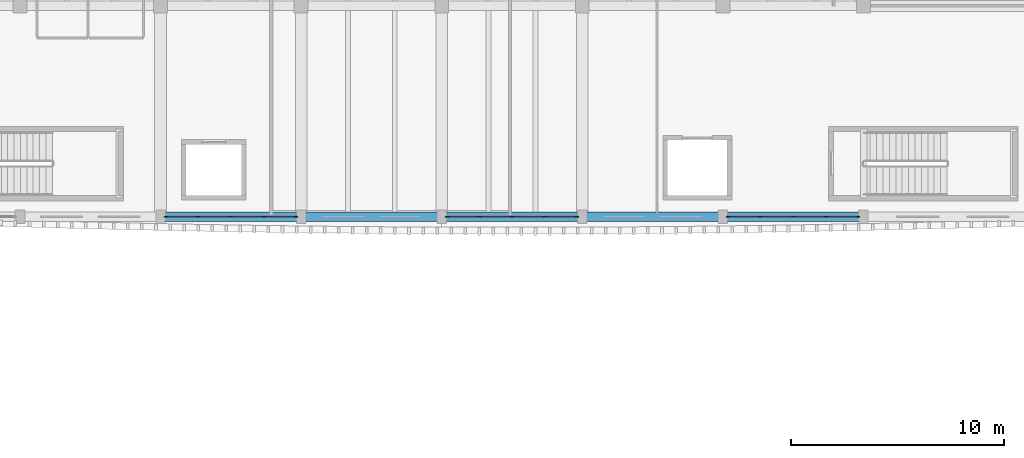
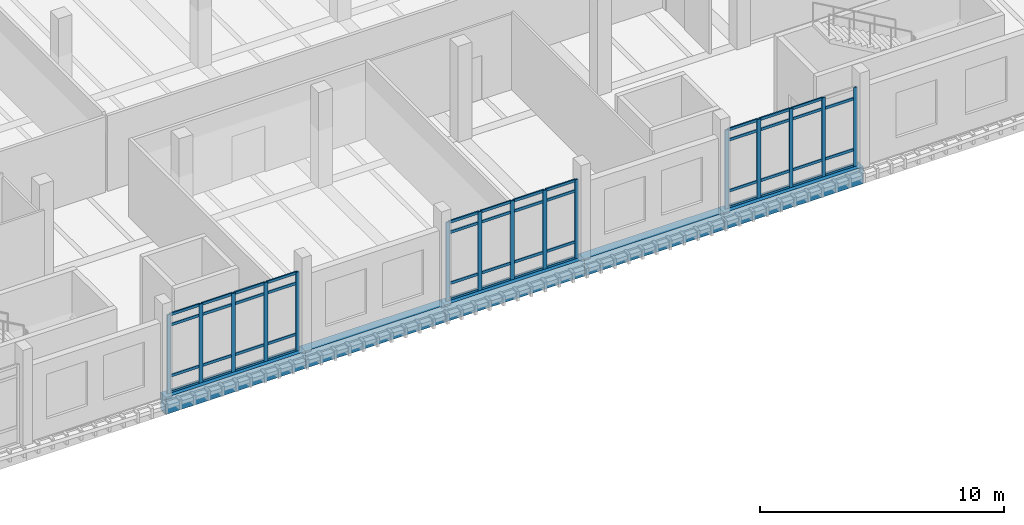
# One storey, part 13 of 50: 62 members, 5 beams, 3 elements without a shape of their own.
"""IFC4 building model written with IfcOpenShell, lengths in metres."""

from ifc_helpers import new_model, si_unit, direction, frame, origin, origin_2d, place, context, subcontext, project, spatial, rectangle, extrude, material, material_profile, profile_set, type_object, element, aggregate, save


model = new_model("IFC4")

# Units and contexts
model_context = context("Model", 3, precision=1e-05, world=origin(), true_north=direction((0.0, 1.0)))
body_context = subcontext(model_context, "Body", "Model", "MODEL_VIEW")
ifc_project = project(units=[si_unit("LENGTHUNIT", "METRE"), si_unit("AREAUNIT", "SQUARE_METRE"), si_unit("VOLUMEUNIT", "CUBIC_METRE"), si_unit("PLANEANGLEUNIT", "RADIAN"), si_unit("MASSUNIT", "GRAM", prefix="KILO")], contexts=[model_context])

# Site, building, storey
site_placement = place(None, origin())
site = spatial("IfcSite", under=ifc_project, at=site_placement, CompositionType="ELEMENT")
building_placement = place(site_placement, origin())
building = spatial("IfcBuilding", under=site, at=building_placement, Name="Dornvale Research Institute", CompositionType="ELEMENT")
storey_placement = place(building_placement, frame((0.0, 0.0, 19.800048828125)))
storey = spatial("IfcBuildingStorey", under=building, at=storey_placement, Name="L04", CompositionType="ELEMENT", Elevation=19.800048828125)

# Curtain wall, members
ifc_material_1 = material(Name="Low-E Argon Double Insulating Glazing Unit", Category="glass")
curtain_wall_type = type_object("IfcCurtainWallType", Name="UnitisedCurtainWall_V4_6150x3950", PredefinedType="USERDEFINED", material=ifc_material_1)
curtain_wall_1_placement = place(storey_placement, origin())
curtain_wall_1 = element("IfcCurtainWall", 1, at=curtain_wall_1_placement, inside=storey, type_object=curtain_wall_type, Name="L04 V4 unitised curtain wall CW-15 #105", ObjectType="UNITISED CURTAIN WALL", PredefinedType="USERDEFINED")
ifc_material_2 = material(Name="Anodized Aluminum AA 6063-T6 Thermally Broken Frame", Category="aluminium")
ifc_material_profile_1 = material_profile(ifc_material_2, rectangle(XDim=0.06494140625, YDim=0.179931640625, at=origin_2d()), Name="ALU MULLION 65x180")
ifc_profile_set_1 = profile_set([ifc_material_profile_1], Name="Anodized Aluminum AA 6063-T6 Thermally Broken Frame")
member_type_1 = type_object("IfcMemberType", Name="Mullion_CW_65x180", PredefinedType="MULLION", material=ifc_profile_set_1)
member_1_placement = place(storey_placement, frame((164.742431640625, 92.39990234375, 0.0), z_axis=(0.0, 0.0, 1.0), x_axis=(0.0, -1.0, 0.0)))
member_1 = element("IfcMember", 2, at=member_1_placement, type_object=member_type_1, Name="CW-15 mullion 1", PredefinedType="MULLION", context=body_context, shape_type="SweptSolid", body=[
    extrude(rectangle(XDim=0.06494140625, YDim=0.179931640625, at=origin_2d()), origin(), (0.0, 0.0, 1.0), 3.949951171875),
])
member_2_placement = place(storey_placement, frame((163.237548828125, 92.39990234375, 0.0), z_axis=(0.0, 0.0, 1.0), x_axis=(0.0, -1.0, 0.0)))
member_2 = element("IfcMember", 3, at=member_2_placement, type_object=member_type_1, Name="CW-15 mullion 2", PredefinedType="MULLION", context=body_context, shape_type="SweptSolid", body=[
    extrude(rectangle(XDim=0.06494140625, YDim=0.179931640625, at=origin_2d()), origin(), (0.0, 0.0, 1.0), 3.949951171875),
])
member_3_placement = place(storey_placement, frame((161.699951171875, 92.39990234375, 0.0), z_axis=(0.0, 0.0, 1.0), x_axis=(0.0, -1.0, 0.0)))
member_3 = element("IfcMember", 4, at=member_3_placement, type_object=member_type_1, Name="CW-15 mullion 3", PredefinedType="MULLION", context=body_context, shape_type="SweptSolid", body=[
    extrude(rectangle(XDim=0.06494140625, YDim=0.179931640625, at=origin_2d()), origin(), (0.0, 0.0, 1.0), 3.949951171875),
])
member_4_placement = place(storey_placement, frame((160.16259765625, 92.39990234375, 0.0), z_axis=(0.0, 0.0, 1.0), x_axis=(0.0, -1.0, 0.0)))
member_4 = element("IfcMember", 5, at=member_4_placement, type_object=member_type_1, Name="CW-15 mullion 4", PredefinedType="MULLION", context=body_context, shape_type="SweptSolid", body=[
    extrude(rectangle(XDim=0.06494140625, YDim=0.179931640625, at=origin_2d()), origin(), (0.0, 0.0, 1.0), 3.949951171875),
])
member_5_placement = place(storey_placement, frame((158.657470703125, 92.39990234375, 0.0), z_axis=(0.0, 0.0, 1.0), x_axis=(0.0, -1.0, 0.0)))
member_5 = element("IfcMember", 6, at=member_5_placement, type_object=member_type_1, Name="CW-15 mullion 5", PredefinedType="MULLION", context=body_context, shape_type="SweptSolid", body=[
    extrude(rectangle(XDim=0.06494140625, YDim=0.179931640625, at=origin_2d()), origin(), (0.0, 0.0, 1.0), 3.949951171875),
])

curtain_wall_2_placement = place(storey_placement, origin())
curtain_wall_2 = element("IfcCurtainWall", 7, at=curtain_wall_2_placement, inside=storey, type_object=curtain_wall_type, Name="L04 V4 unitised curtain wall CW-15 #106", ObjectType="UNITISED CURTAIN WALL", PredefinedType="USERDEFINED")
member_6_placement = place(storey_placement, frame((151.54248046875, 92.39990234375, 0.0), z_axis=(0.0, 0.0, 1.0), x_axis=(0.0, -1.0, 0.0)))
member_6 = element("IfcMember", 8, at=member_6_placement, type_object=member_type_1, Name="CW-15 mullion 1", PredefinedType="MULLION", context=body_context, shape_type="SweptSolid", body=[
    extrude(rectangle(XDim=0.06494140625, YDim=0.179931640625, at=origin_2d()), origin(), (0.0, 0.0, 1.0), 3.949951171875),
])
member_7_placement = place(storey_placement, frame((150.03759765625, 92.39990234375, 0.0), z_axis=(0.0, 0.0, 1.0), x_axis=(0.0, -1.0, 0.0)))
member_7 = element("IfcMember", 9, at=member_7_placement, type_object=member_type_1, Name="CW-15 mullion 2", PredefinedType="MULLION", context=body_context, shape_type="SweptSolid", body=[
    extrude(rectangle(XDim=0.06494140625, YDim=0.179931640625, at=origin_2d()), origin(), (0.0, 0.0, 1.0), 3.949951171875),
])
member_8_placement = place(storey_placement, frame((148.5, 92.39990234375, 0.0), z_axis=(0.0, 0.0, 1.0), x_axis=(0.0, -1.0, 0.0)))
member_8 = element("IfcMember", 10, at=member_8_placement, type_object=member_type_1, Name="CW-15 mullion 3", PredefinedType="MULLION", context=body_context, shape_type="SweptSolid", body=[
    extrude(rectangle(XDim=0.06494140625, YDim=0.179931640625, at=origin_2d()), origin(), (0.0, 0.0, 1.0), 3.949951171875),
])
member_9_placement = place(storey_placement, frame((146.96240234375, 92.39990234375, 0.0), z_axis=(0.0, 0.0, 1.0), x_axis=(0.0, -1.0, 0.0)))
member_9 = element("IfcMember", 11, at=member_9_placement, type_object=member_type_1, Name="CW-15 mullion 4", PredefinedType="MULLION", context=body_context, shape_type="SweptSolid", body=[
    extrude(rectangle(XDim=0.06494140625, YDim=0.179931640625, at=origin_2d()), origin(), (0.0, 0.0, 1.0), 3.949951171875),
])
member_10_placement = place(storey_placement, frame((145.45751953125, 92.39990234375, 0.0), z_axis=(0.0, 0.0, 1.0), x_axis=(0.0, -1.0, 0.0)))
member_10 = element("IfcMember", 12, at=member_10_placement, type_object=member_type_1, Name="CW-15 mullion 5", PredefinedType="MULLION", context=body_context, shape_type="SweptSolid", body=[
    extrude(rectangle(XDim=0.06494140625, YDim=0.179931640625, at=origin_2d()), origin(), (0.0, 0.0, 1.0), 3.949951171875),
])

curtain_wall_3_placement = place(storey_placement, origin())
curtain_wall_3 = element("IfcCurtainWall", 13, at=curtain_wall_3_placement, inside=storey, type_object=curtain_wall_type, Name="L04 V4 unitised curtain wall CW-15 #107", ObjectType="UNITISED CURTAIN WALL", PredefinedType="USERDEFINED")
member_11_placement = place(storey_placement, frame((138.342529296875, 92.39990234375, 0.0), z_axis=(0.0, 0.0, 1.0), x_axis=(0.0, -1.0, 0.0)))
member_11 = element("IfcMember", 14, at=member_11_placement, type_object=member_type_1, Name="CW-15 mullion 1", PredefinedType="MULLION", context=body_context, shape_type="SweptSolid", body=[
    extrude(rectangle(XDim=0.06494140625, YDim=0.179931640625, at=origin_2d()), origin(), (0.0, 0.0, 1.0), 3.949951171875),
])
member_12_placement = place(storey_placement, frame((136.83740234375, 92.39990234375, 0.0), z_axis=(0.0, 0.0, 1.0), x_axis=(0.0, -1.0, 0.0)))
member_12 = element("IfcMember", 15, at=member_12_placement, type_object=member_type_1, Name="CW-15 mullion 2", PredefinedType="MULLION", context=body_context, shape_type="SweptSolid", body=[
    extrude(rectangle(XDim=0.06494140625, YDim=0.179931640625, at=origin_2d()), origin(), (0.0, 0.0, 1.0), 3.949951171875),
])
member_13_placement = place(storey_placement, frame((135.300048828125, 92.39990234375, 0.0), z_axis=(0.0, 0.0, 1.0), x_axis=(0.0, -1.0, 0.0)))
member_13 = element("IfcMember", 16, at=member_13_placement, type_object=member_type_1, Name="CW-15 mullion 3", PredefinedType="MULLION", context=body_context, shape_type="SweptSolid", body=[
    extrude(rectangle(XDim=0.06494140625, YDim=0.179931640625, at=origin_2d()), origin(), (0.0, 0.0, 1.0), 3.949951171875),
])
member_14_placement = place(storey_placement, frame((133.762451171875, 92.39990234375, 0.0), z_axis=(0.0, 0.0, 1.0), x_axis=(0.0, -1.0, 0.0)))
member_14 = element("IfcMember", 17, at=member_14_placement, type_object=member_type_1, Name="CW-15 mullion 4", PredefinedType="MULLION", context=body_context, shape_type="SweptSolid", body=[
    extrude(rectangle(XDim=0.06494140625, YDim=0.179931640625, at=origin_2d()), origin(), (0.0, 0.0, 1.0), 3.949951171875),
])
member_15_placement = place(storey_placement, frame((132.257568359375, 92.39990234375, 0.0), z_axis=(0.0, 0.0, 1.0), x_axis=(0.0, -1.0, 0.0)))
member_15 = element("IfcMember", 18, at=member_15_placement, type_object=member_type_1, Name="CW-15 mullion 5", PredefinedType="MULLION", context=body_context, shape_type="SweptSolid", body=[
    extrude(rectangle(XDim=0.06494140625, YDim=0.179931640625, at=origin_2d()), origin(), (0.0, 0.0, 1.0), 3.949951171875),
])

# Beams
ifc_material_3 = material(Name="Concrete f'c 45 MPa (C35/45)", Category="concrete")
ifc_material_profile_2 = material_profile(ifc_material_3, rectangle(XDim=0.449951171875, YDim=0.85009765625, at=origin_2d()), Name="RC 450x850")
ifc_profile_set_2 = profile_set([ifc_material_profile_2], Name="Concrete f'c 45 MPa (C35/45)")
beam_type = type_object("IfcBeamType", Name="Spandrel_RC450x850_Ext", PredefinedType="SPANDREL", material=ifc_profile_set_2)
beam_1_placement = place(storey_placement, frame((132.0, 92.39990234375, -0.425048828125), z_axis=(1.0, 0.0, 0.0), x_axis=(0.0, 1.0, 0.0)))
element("IfcBeam", 19, at=beam_1_placement, inside=storey, type_object=beam_type, Name="L04 perimeter spandrel #1174", PredefinedType="SPANDREL", context=body_context, shape_type="SweptSolid", body=[
    extrude(rectangle(XDim=0.449951171875, YDim=0.85009765625, at=origin_2d()), origin(), (0.0, 0.0, 1.0), 6.60009765625),
])
beam_2_placement = place(storey_placement, frame((138.60009765625, 92.39990234375, -0.425048828125), z_axis=(1.0, 0.0, 0.0), x_axis=(0.0, 1.0, 0.0)))
element("IfcBeam", 20, at=beam_2_placement, inside=storey, type_object=beam_type, Name="L04 perimeter spandrel #1175", PredefinedType="SPANDREL", context=body_context, shape_type="SweptSolid", body=[
    extrude(rectangle(XDim=0.449951171875, YDim=0.85009765625, at=origin_2d()), origin(), (0.0, 0.0, 1.0), 6.599853515625),
])
beam_3_placement = place(storey_placement, frame((145.199951171875, 92.39990234375, -0.425048828125), z_axis=(1.0, 0.0, 0.0), x_axis=(0.0, 1.0, 0.0)))
element("IfcBeam", 21, at=beam_3_placement, inside=storey, type_object=beam_type, Name="L04 perimeter spandrel #1176", PredefinedType="SPANDREL", context=body_context, shape_type="SweptSolid", body=[
    extrude(rectangle(XDim=0.449951171875, YDim=0.85009765625, at=origin_2d()), origin(), (0.0, 0.0, 1.0), 6.60009765625),
])
beam_4_placement = place(storey_placement, frame((151.800048828125, 92.39990234375, -0.425048828125), z_axis=(1.0, 0.0, 0.0), x_axis=(0.0, 1.0, 0.0)))
element("IfcBeam", 22, at=beam_4_placement, inside=storey, type_object=beam_type, Name="L04 perimeter spandrel #1177", PredefinedType="SPANDREL", context=body_context, shape_type="SweptSolid", body=[
    extrude(rectangle(XDim=0.449951171875, YDim=0.85009765625, at=origin_2d()), origin(), (0.0, 0.0, 1.0), 6.599853515625),
])
beam_5_placement = place(storey_placement, frame((158.39990234375, 92.39990234375, -0.425048828125), z_axis=(1.0, 0.0, 0.0), x_axis=(0.0, 1.0, 0.0)))
element("IfcBeam", 23, at=beam_5_placement, inside=storey, type_object=beam_type, Name="L04 perimeter spandrel #1178", PredefinedType="SPANDREL", context=body_context, shape_type="SweptSolid", body=[
    extrude(rectangle(XDim=0.449951171875, YDim=0.85009765625, at=origin_2d()), origin(), (0.0, 0.0, 1.0), 6.60009765625),
])

# Member
ifc_material_4 = material(Name="Anodized Aluminum AA 6063-T6 Thermally Broken Frame", Category="aluminium")
ifc_material_profile_3 = material_profile(ifc_material_4, rectangle(XDim=0.06494140625, YDim=0.135009765625, at=origin_2d()), Name="ALU TRANSOM 65x135")
ifc_profile_set_3 = profile_set([ifc_material_profile_3], Name="Anodized Aluminum AA 6063-T6 Thermally Broken Frame")
member_type_2 = type_object("IfcMemberType", Name="Transom_CW_65x135", PredefinedType="USERDEFINED", material=ifc_profile_set_3)
member_16_placement = place(storey_placement, frame((164.7099609375, 92.39990234375, 0.032470703125), z_axis=(-1.0, 0.0, 0.0), x_axis=(0.0, -1.0, 0.0)))
member_16 = element("IfcMember", 24, at=member_16_placement, type_object=member_type_2, Name="CW-15 transom 1.1", ObjectType="TRANSOM", PredefinedType="USERDEFINED", context=body_context, shape_type="SweptSolid", body=[
    extrude(rectangle(XDim=0.06494140625, YDim=0.135009765625, at=origin_2d()), origin(), (0.0, 0.0, 1.0), 1.43994140625),
])

member_17_placement = place(storey_placement, frame((164.7099609375, 92.39990234375, 0.849853515625), z_axis=(-1.0, 0.0, 0.0), x_axis=(0.0, -1.0, 0.0)))
member_17 = element("IfcMember", 25, at=member_17_placement, type_object=member_type_2, Name="CW-15 transom 1.2", ObjectType="TRANSOM", PredefinedType="USERDEFINED", context=body_context, shape_type="SweptSolid", body=[
    extrude(rectangle(XDim=0.06494140625, YDim=0.135009765625, at=origin_2d()), origin(), (0.0, 0.0, 1.0), 1.43994140625),
])

member_18_placement = place(storey_placement, frame((164.7099609375, 92.39990234375, 3.39990234375), z_axis=(-1.0, 0.0, 0.0), x_axis=(0.0, -1.0, 0.0)))
member_18 = element("IfcMember", 26, at=member_18_placement, type_object=member_type_2, Name="CW-15 transom 1.3", ObjectType="TRANSOM", PredefinedType="USERDEFINED", context=body_context, shape_type="SweptSolid", body=[
    extrude(rectangle(XDim=0.06494140625, YDim=0.135009765625, at=origin_2d()), origin(), (0.0, 0.0, 1.0), 1.43994140625),
])

member_19_placement = place(storey_placement, frame((163.205078125, 92.39990234375, 0.032470703125), z_axis=(-1.0, 0.0, 0.0), x_axis=(0.0, -1.0, 0.0)))
member_19 = element("IfcMember", 27, at=member_19_placement, type_object=member_type_2, Name="CW-15 transom 2.1", ObjectType="TRANSOM", PredefinedType="USERDEFINED", context=body_context, shape_type="SweptSolid", body=[
    extrude(rectangle(XDim=0.06494140625, YDim=0.135009765625, at=origin_2d()), origin(), (0.0, 0.0, 1.0), 1.47265625),
])

member_20_placement = place(storey_placement, frame((163.205078125, 92.39990234375, 0.849853515625), z_axis=(-1.0, 0.0, 0.0), x_axis=(0.0, -1.0, 0.0)))
member_20 = element("IfcMember", 28, at=member_20_placement, type_object=member_type_2, Name="CW-15 transom 2.2", ObjectType="TRANSOM", PredefinedType="USERDEFINED", context=body_context, shape_type="SweptSolid", body=[
    extrude(rectangle(XDim=0.06494140625, YDim=0.135009765625, at=origin_2d()), origin(), (0.0, 0.0, 1.0), 1.47265625),
])

member_21_placement = place(storey_placement, frame((163.205078125, 92.39990234375, 3.39990234375), z_axis=(-1.0, 0.0, 0.0), x_axis=(0.0, -1.0, 0.0)))
member_21 = element("IfcMember", 29, at=member_21_placement, type_object=member_type_2, Name="CW-15 transom 2.3", ObjectType="TRANSOM", PredefinedType="USERDEFINED", context=body_context, shape_type="SweptSolid", body=[
    extrude(rectangle(XDim=0.06494140625, YDim=0.135009765625, at=origin_2d()), origin(), (0.0, 0.0, 1.0), 1.47265625),
])

member_22_placement = place(storey_placement, frame((163.205078125, 92.39990234375, 3.91748046875), z_axis=(-1.0, 0.0, 0.0), x_axis=(0.0, -1.0, 0.0)))
member_22 = element("IfcMember", 30, at=member_22_placement, type_object=member_type_2, Name="CW-15 transom 2.4", ObjectType="TRANSOM", PredefinedType="USERDEFINED", context=body_context, shape_type="SweptSolid", body=[
    extrude(rectangle(XDim=0.06494140625, YDim=0.135009765625, at=origin_2d()), origin(), (0.0, 0.0, 1.0), 1.47265625),
])

member_23_placement = place(storey_placement, frame((161.66748046875, 92.39990234375, 0.032470703125), z_axis=(-1.0, 0.0, 0.0), x_axis=(0.0, -1.0, 0.0)))
member_23 = element("IfcMember", 31, at=member_23_placement, type_object=member_type_2, Name="CW-15 transom 3.1", ObjectType="TRANSOM", PredefinedType="USERDEFINED", context=body_context, shape_type="SweptSolid", body=[
    extrude(rectangle(XDim=0.06494140625, YDim=0.135009765625, at=origin_2d()), origin(), (0.0, 0.0, 1.0), 1.472412109375),
])

member_24_placement = place(storey_placement, frame((161.66748046875, 92.39990234375, 0.849853515625), z_axis=(-1.0, 0.0, 0.0), x_axis=(0.0, -1.0, 0.0)))
member_24 = element("IfcMember", 32, at=member_24_placement, type_object=member_type_2, Name="CW-15 transom 3.2", ObjectType="TRANSOM", PredefinedType="USERDEFINED", context=body_context, shape_type="SweptSolid", body=[
    extrude(rectangle(XDim=0.06494140625, YDim=0.135009765625, at=origin_2d()), origin(), (0.0, 0.0, 1.0), 1.472412109375),
])

member_25_placement = place(storey_placement, frame((161.66748046875, 92.39990234375, 3.39990234375), z_axis=(-1.0, 0.0, 0.0), x_axis=(0.0, -1.0, 0.0)))
member_25 = element("IfcMember", 33, at=member_25_placement, type_object=member_type_2, Name="CW-15 transom 3.3", ObjectType="TRANSOM", PredefinedType="USERDEFINED", context=body_context, shape_type="SweptSolid", body=[
    extrude(rectangle(XDim=0.06494140625, YDim=0.135009765625, at=origin_2d()), origin(), (0.0, 0.0, 1.0), 1.472412109375),
])

member_26_placement = place(storey_placement, frame((161.66748046875, 92.39990234375, 3.91748046875), z_axis=(-1.0, 0.0, 0.0), x_axis=(0.0, -1.0, 0.0)))
member_26 = element("IfcMember", 34, at=member_26_placement, type_object=member_type_2, Name="CW-15 transom 3.4", ObjectType="TRANSOM", PredefinedType="USERDEFINED", context=body_context, shape_type="SweptSolid", body=[
    extrude(rectangle(XDim=0.06494140625, YDim=0.135009765625, at=origin_2d()), origin(), (0.0, 0.0, 1.0), 1.472412109375),
])

member_27_placement = place(storey_placement, frame((160.1298828125, 92.39990234375, 0.032470703125), z_axis=(-1.0, 0.0, 0.0), x_axis=(0.0, -1.0, 0.0)))
member_27 = element("IfcMember", 35, at=member_27_placement, type_object=member_type_2, Name="CW-15 transom 4.1", ObjectType="TRANSOM", PredefinedType="USERDEFINED", context=body_context, shape_type="SweptSolid", body=[
    extrude(rectangle(XDim=0.06494140625, YDim=0.135009765625, at=origin_2d()), origin(), (0.0, 0.0, 1.0), 1.43994140625),
])

member_28_placement = place(storey_placement, frame((160.1298828125, 92.39990234375, 0.849853515625), z_axis=(-1.0, 0.0, 0.0), x_axis=(0.0, -1.0, 0.0)))
member_28 = element("IfcMember", 36, at=member_28_placement, type_object=member_type_2, Name="CW-15 transom 4.2", ObjectType="TRANSOM", PredefinedType="USERDEFINED", context=body_context, shape_type="SweptSolid", body=[
    extrude(rectangle(XDim=0.06494140625, YDim=0.135009765625, at=origin_2d()), origin(), (0.0, 0.0, 1.0), 1.43994140625),
])

member_29_placement = place(storey_placement, frame((160.1298828125, 92.39990234375, 3.39990234375), z_axis=(-1.0, 0.0, 0.0), x_axis=(0.0, -1.0, 0.0)))
member_29 = element("IfcMember", 37, at=member_29_placement, type_object=member_type_2, Name="CW-15 transom 4.3", ObjectType="TRANSOM", PredefinedType="USERDEFINED", context=body_context, shape_type="SweptSolid", body=[
    extrude(rectangle(XDim=0.06494140625, YDim=0.135009765625, at=origin_2d()), origin(), (0.0, 0.0, 1.0), 1.43994140625),
])

member_30_placement = place(storey_placement, frame((160.1298828125, 92.39990234375, 3.91748046875), z_axis=(-1.0, 0.0, 0.0), x_axis=(0.0, -1.0, 0.0)))
member_30 = element("IfcMember", 38, at=member_30_placement, type_object=member_type_2, Name="CW-15 transom 4.4", ObjectType="TRANSOM", PredefinedType="USERDEFINED", context=body_context, shape_type="SweptSolid", body=[
    extrude(rectangle(XDim=0.06494140625, YDim=0.135009765625, at=origin_2d()), origin(), (0.0, 0.0, 1.0), 1.43994140625),
])

aggregate(curtain_wall_1, [member_1, member_2, member_3, member_4, member_5, member_16, member_17, member_18, member_19, member_20, member_21, member_22, member_23, member_24, member_25, member_26, member_27, member_28, member_29, member_30])

member_31_placement = place(storey_placement, frame((151.510009765625, 92.39990234375, 0.032470703125), z_axis=(-1.0, 0.0, 0.0), x_axis=(0.0, -1.0, 0.0)))
member_31 = element("IfcMember", 39, at=member_31_placement, type_object=member_type_2, Name="CW-15 transom 1.1", ObjectType="TRANSOM", PredefinedType="USERDEFINED", context=body_context, shape_type="SweptSolid", body=[
    extrude(rectangle(XDim=0.06494140625, YDim=0.135009765625, at=origin_2d()), origin(), (0.0, 0.0, 1.0), 1.43994140625),
])

member_32_placement = place(storey_placement, frame((151.510009765625, 92.39990234375, 0.849853515625), z_axis=(-1.0, 0.0, 0.0), x_axis=(0.0, -1.0, 0.0)))
member_32 = element("IfcMember", 40, at=member_32_placement, type_object=member_type_2, Name="CW-15 transom 1.2", ObjectType="TRANSOM", PredefinedType="USERDEFINED", context=body_context, shape_type="SweptSolid", body=[
    extrude(rectangle(XDim=0.06494140625, YDim=0.135009765625, at=origin_2d()), origin(), (0.0, 0.0, 1.0), 1.43994140625),
])

member_33_placement = place(storey_placement, frame((151.510009765625, 92.39990234375, 3.39990234375), z_axis=(-1.0, 0.0, 0.0), x_axis=(0.0, -1.0, 0.0)))
member_33 = element("IfcMember", 41, at=member_33_placement, type_object=member_type_2, Name="CW-15 transom 1.3", ObjectType="TRANSOM", PredefinedType="USERDEFINED", context=body_context, shape_type="SweptSolid", body=[
    extrude(rectangle(XDim=0.06494140625, YDim=0.135009765625, at=origin_2d()), origin(), (0.0, 0.0, 1.0), 1.43994140625),
])

member_34_placement = place(storey_placement, frame((151.510009765625, 92.39990234375, 3.91748046875), z_axis=(-1.0, 0.0, 0.0), x_axis=(0.0, -1.0, 0.0)))
member_34 = element("IfcMember", 42, at=member_34_placement, type_object=member_type_2, Name="CW-15 transom 1.4", ObjectType="TRANSOM", PredefinedType="USERDEFINED", context=body_context, shape_type="SweptSolid", body=[
    extrude(rectangle(XDim=0.06494140625, YDim=0.135009765625, at=origin_2d()), origin(), (0.0, 0.0, 1.0), 1.43994140625),
])

member_35_placement = place(storey_placement, frame((150.0048828125, 92.39990234375, 0.032470703125), z_axis=(-1.0, 0.0, 0.0), x_axis=(0.0, -1.0, 0.0)))
member_35 = element("IfcMember", 43, at=member_35_placement, type_object=member_type_2, Name="CW-15 transom 2.1", ObjectType="TRANSOM", PredefinedType="USERDEFINED", context=body_context, shape_type="SweptSolid", body=[
    extrude(rectangle(XDim=0.06494140625, YDim=0.135009765625, at=origin_2d()), origin(), (0.0, 0.0, 1.0), 1.472412109375),
])

member_36_placement = place(storey_placement, frame((150.0048828125, 92.39990234375, 0.849853515625), z_axis=(-1.0, 0.0, 0.0), x_axis=(0.0, -1.0, 0.0)))
member_36 = element("IfcMember", 44, at=member_36_placement, type_object=member_type_2, Name="CW-15 transom 2.2", ObjectType="TRANSOM", PredefinedType="USERDEFINED", context=body_context, shape_type="SweptSolid", body=[
    extrude(rectangle(XDim=0.06494140625, YDim=0.135009765625, at=origin_2d()), origin(), (0.0, 0.0, 1.0), 1.472412109375),
])

member_37_placement = place(storey_placement, frame((150.0048828125, 92.39990234375, 3.39990234375), z_axis=(-1.0, 0.0, 0.0), x_axis=(0.0, -1.0, 0.0)))
member_37 = element("IfcMember", 45, at=member_37_placement, type_object=member_type_2, Name="CW-15 transom 2.3", ObjectType="TRANSOM", PredefinedType="USERDEFINED", context=body_context, shape_type="SweptSolid", body=[
    extrude(rectangle(XDim=0.06494140625, YDim=0.135009765625, at=origin_2d()), origin(), (0.0, 0.0, 1.0), 1.472412109375),
])

member_38_placement = place(storey_placement, frame((150.0048828125, 92.39990234375, 3.91748046875), z_axis=(-1.0, 0.0, 0.0), x_axis=(0.0, -1.0, 0.0)))
member_38 = element("IfcMember", 46, at=member_38_placement, type_object=member_type_2, Name="CW-15 transom 2.4", ObjectType="TRANSOM", PredefinedType="USERDEFINED", context=body_context, shape_type="SweptSolid", body=[
    extrude(rectangle(XDim=0.06494140625, YDim=0.135009765625, at=origin_2d()), origin(), (0.0, 0.0, 1.0), 1.472412109375),
])

member_39_placement = place(storey_placement, frame((148.467529296875, 92.39990234375, 0.032470703125), z_axis=(-1.0, 0.0, 0.0), x_axis=(0.0, -1.0, 0.0)))
member_39 = element("IfcMember", 47, at=member_39_placement, type_object=member_type_2, Name="CW-15 transom 3.1", ObjectType="TRANSOM", PredefinedType="USERDEFINED", context=body_context, shape_type="SweptSolid", body=[
    extrude(rectangle(XDim=0.06494140625, YDim=0.135009765625, at=origin_2d()), origin(), (0.0, 0.0, 1.0), 1.472412109375),
])

member_40_placement = place(storey_placement, frame((148.467529296875, 92.39990234375, 0.849853515625), z_axis=(-1.0, 0.0, 0.0), x_axis=(0.0, -1.0, 0.0)))
member_40 = element("IfcMember", 48, at=member_40_placement, type_object=member_type_2, Name="CW-15 transom 3.2", ObjectType="TRANSOM", PredefinedType="USERDEFINED", context=body_context, shape_type="SweptSolid", body=[
    extrude(rectangle(XDim=0.06494140625, YDim=0.135009765625, at=origin_2d()), origin(), (0.0, 0.0, 1.0), 1.472412109375),
])

member_41_placement = place(storey_placement, frame((148.467529296875, 92.39990234375, 3.39990234375), z_axis=(-1.0, 0.0, 0.0), x_axis=(0.0, -1.0, 0.0)))
member_41 = element("IfcMember", 49, at=member_41_placement, type_object=member_type_2, Name="CW-15 transom 3.3", ObjectType="TRANSOM", PredefinedType="USERDEFINED", context=body_context, shape_type="SweptSolid", body=[
    extrude(rectangle(XDim=0.06494140625, YDim=0.135009765625, at=origin_2d()), origin(), (0.0, 0.0, 1.0), 1.472412109375),
])

member_42_placement = place(storey_placement, frame((148.467529296875, 92.39990234375, 3.91748046875), z_axis=(-1.0, 0.0, 0.0), x_axis=(0.0, -1.0, 0.0)))
member_42 = element("IfcMember", 50, at=member_42_placement, type_object=member_type_2, Name="CW-15 transom 3.4", ObjectType="TRANSOM", PredefinedType="USERDEFINED", context=body_context, shape_type="SweptSolid", body=[
    extrude(rectangle(XDim=0.06494140625, YDim=0.135009765625, at=origin_2d()), origin(), (0.0, 0.0, 1.0), 1.472412109375),
])

member_43_placement = place(storey_placement, frame((146.929931640625, 92.39990234375, 0.032470703125), z_axis=(-1.0, 0.0, 0.0), x_axis=(0.0, -1.0, 0.0)))
member_43 = element("IfcMember", 51, at=member_43_placement, type_object=member_type_2, Name="CW-15 transom 4.1", ObjectType="TRANSOM", PredefinedType="USERDEFINED", context=body_context, shape_type="SweptSolid", body=[
    extrude(rectangle(XDim=0.06494140625, YDim=0.135009765625, at=origin_2d()), origin(), (0.0, 0.0, 1.0), 1.43994140625),
])

member_44_placement = place(storey_placement, frame((146.929931640625, 92.39990234375, 0.849853515625), z_axis=(-1.0, 0.0, 0.0), x_axis=(0.0, -1.0, 0.0)))
member_44 = element("IfcMember", 52, at=member_44_placement, type_object=member_type_2, Name="CW-15 transom 4.2", ObjectType="TRANSOM", PredefinedType="USERDEFINED", context=body_context, shape_type="SweptSolid", body=[
    extrude(rectangle(XDim=0.06494140625, YDim=0.135009765625, at=origin_2d()), origin(), (0.0, 0.0, 1.0), 1.43994140625),
])

member_45_placement = place(storey_placement, frame((146.929931640625, 92.39990234375, 3.39990234375), z_axis=(-1.0, 0.0, 0.0), x_axis=(0.0, -1.0, 0.0)))
member_45 = element("IfcMember", 53, at=member_45_placement, type_object=member_type_2, Name="CW-15 transom 4.3", ObjectType="TRANSOM", PredefinedType="USERDEFINED", context=body_context, shape_type="SweptSolid", body=[
    extrude(rectangle(XDim=0.06494140625, YDim=0.135009765625, at=origin_2d()), origin(), (0.0, 0.0, 1.0), 1.43994140625),
])

member_46_placement = place(storey_placement, frame((146.929931640625, 92.39990234375, 3.91748046875), z_axis=(-1.0, 0.0, 0.0), x_axis=(0.0, -1.0, 0.0)))
member_46 = element("IfcMember", 54, at=member_46_placement, type_object=member_type_2, Name="CW-15 transom 4.4", ObjectType="TRANSOM", PredefinedType="USERDEFINED", context=body_context, shape_type="SweptSolid", body=[
    extrude(rectangle(XDim=0.06494140625, YDim=0.135009765625, at=origin_2d()), origin(), (0.0, 0.0, 1.0), 1.43994140625),
])

aggregate(curtain_wall_2, [member_6, member_7, member_8, member_9, member_10, member_31, member_32, member_33, member_34, member_35, member_36, member_37, member_38, member_39, member_40, member_41, member_42, member_43, member_44, member_45, member_46])

member_47_placement = place(storey_placement, frame((138.31005859375, 92.39990234375, 0.032470703125), z_axis=(-1.0, 0.0, 0.0), x_axis=(0.0, -1.0, 0.0)))
member_47 = element("IfcMember", 55, at=member_47_placement, type_object=member_type_2, Name="CW-15 transom 1.1", ObjectType="TRANSOM", PredefinedType="USERDEFINED", context=body_context, shape_type="SweptSolid", body=[
    extrude(rectangle(XDim=0.06494140625, YDim=0.135009765625, at=origin_2d()), origin(), (0.0, 0.0, 1.0), 1.43994140625),
])

member_48_placement = place(storey_placement, frame((138.31005859375, 92.39990234375, 0.849853515625), z_axis=(-1.0, 0.0, 0.0), x_axis=(0.0, -1.0, 0.0)))
member_48 = element("IfcMember", 56, at=member_48_placement, type_object=member_type_2, Name="CW-15 transom 1.2", ObjectType="TRANSOM", PredefinedType="USERDEFINED", context=body_context, shape_type="SweptSolid", body=[
    extrude(rectangle(XDim=0.06494140625, YDim=0.135009765625, at=origin_2d()), origin(), (0.0, 0.0, 1.0), 1.43994140625),
])

member_49_placement = place(storey_placement, frame((138.31005859375, 92.39990234375, 3.39990234375), z_axis=(-1.0, 0.0, 0.0), x_axis=(0.0, -1.0, 0.0)))
member_49 = element("IfcMember", 57, at=member_49_placement, type_object=member_type_2, Name="CW-15 transom 1.3", ObjectType="TRANSOM", PredefinedType="USERDEFINED", context=body_context, shape_type="SweptSolid", body=[
    extrude(rectangle(XDim=0.06494140625, YDim=0.135009765625, at=origin_2d()), origin(), (0.0, 0.0, 1.0), 1.43994140625),
])

member_50_placement = place(storey_placement, frame((138.31005859375, 92.39990234375, 3.91748046875), z_axis=(-1.0, 0.0, 0.0), x_axis=(0.0, -1.0, 0.0)))
member_50 = element("IfcMember", 58, at=member_50_placement, type_object=member_type_2, Name="CW-15 transom 1.4", ObjectType="TRANSOM", PredefinedType="USERDEFINED", context=body_context, shape_type="SweptSolid", body=[
    extrude(rectangle(XDim=0.06494140625, YDim=0.135009765625, at=origin_2d()), origin(), (0.0, 0.0, 1.0), 1.43994140625),
])

member_51_placement = place(storey_placement, frame((136.804931640625, 92.39990234375, 0.032470703125), z_axis=(-1.0, 0.0, 0.0), x_axis=(0.0, -1.0, 0.0)))
member_51 = element("IfcMember", 59, at=member_51_placement, type_object=member_type_2, Name="CW-15 transom 2.1", ObjectType="TRANSOM", PredefinedType="USERDEFINED", context=body_context, shape_type="SweptSolid", body=[
    extrude(rectangle(XDim=0.06494140625, YDim=0.135009765625, at=origin_2d()), origin(), (0.0, 0.0, 1.0), 1.472412109375),
])

member_52_placement = place(storey_placement, frame((136.804931640625, 92.39990234375, 0.849853515625), z_axis=(-1.0, 0.0, 0.0), x_axis=(0.0, -1.0, 0.0)))
member_52 = element("IfcMember", 60, at=member_52_placement, type_object=member_type_2, Name="CW-15 transom 2.2", ObjectType="TRANSOM", PredefinedType="USERDEFINED", context=body_context, shape_type="SweptSolid", body=[
    extrude(rectangle(XDim=0.06494140625, YDim=0.135009765625, at=origin_2d()), origin(), (0.0, 0.0, 1.0), 1.472412109375),
])

member_53_placement = place(storey_placement, frame((136.804931640625, 92.39990234375, 3.39990234375), z_axis=(-1.0, 0.0, 0.0), x_axis=(0.0, -1.0, 0.0)))
member_53 = element("IfcMember", 61, at=member_53_placement, type_object=member_type_2, Name="CW-15 transom 2.3", ObjectType="TRANSOM", PredefinedType="USERDEFINED", context=body_context, shape_type="SweptSolid", body=[
    extrude(rectangle(XDim=0.06494140625, YDim=0.135009765625, at=origin_2d()), origin(), (0.0, 0.0, 1.0), 1.472412109375),
])

member_54_placement = place(storey_placement, frame((136.804931640625, 92.39990234375, 3.91748046875), z_axis=(-1.0, 0.0, 0.0), x_axis=(0.0, -1.0, 0.0)))
member_54 = element("IfcMember", 62, at=member_54_placement, type_object=member_type_2, Name="CW-15 transom 2.4", ObjectType="TRANSOM", PredefinedType="USERDEFINED", context=body_context, shape_type="SweptSolid", body=[
    extrude(rectangle(XDim=0.06494140625, YDim=0.135009765625, at=origin_2d()), origin(), (0.0, 0.0, 1.0), 1.472412109375),
])

member_55_placement = place(storey_placement, frame((135.267578125, 92.39990234375, 0.032470703125), z_axis=(-1.0, 0.0, 0.0), x_axis=(0.0, -1.0, 0.0)))
member_55 = element("IfcMember", 63, at=member_55_placement, type_object=member_type_2, Name="CW-15 transom 3.1", ObjectType="TRANSOM", PredefinedType="USERDEFINED", context=body_context, shape_type="SweptSolid", body=[
    extrude(rectangle(XDim=0.06494140625, YDim=0.135009765625, at=origin_2d()), origin(), (0.0, 0.0, 1.0), 1.47265625),
])

member_56_placement = place(storey_placement, frame((135.267578125, 92.39990234375, 0.849853515625), z_axis=(-1.0, 0.0, 0.0), x_axis=(0.0, -1.0, 0.0)))
member_56 = element("IfcMember", 64, at=member_56_placement, type_object=member_type_2, Name="CW-15 transom 3.2", ObjectType="TRANSOM", PredefinedType="USERDEFINED", context=body_context, shape_type="SweptSolid", body=[
    extrude(rectangle(XDim=0.06494140625, YDim=0.135009765625, at=origin_2d()), origin(), (0.0, 0.0, 1.0), 1.47265625),
])

member_57_placement = place(storey_placement, frame((135.267578125, 92.39990234375, 3.39990234375), z_axis=(-1.0, 0.0, 0.0), x_axis=(0.0, -1.0, 0.0)))
member_57 = element("IfcMember", 65, at=member_57_placement, type_object=member_type_2, Name="CW-15 transom 3.3", ObjectType="TRANSOM", PredefinedType="USERDEFINED", context=body_context, shape_type="SweptSolid", body=[
    extrude(rectangle(XDim=0.06494140625, YDim=0.135009765625, at=origin_2d()), origin(), (0.0, 0.0, 1.0), 1.47265625),
])

member_58_placement = place(storey_placement, frame((135.267578125, 92.39990234375, 3.91748046875), z_axis=(-1.0, 0.0, 0.0), x_axis=(0.0, -1.0, 0.0)))
member_58 = element("IfcMember", 66, at=member_58_placement, type_object=member_type_2, Name="CW-15 transom 3.4", ObjectType="TRANSOM", PredefinedType="USERDEFINED", context=body_context, shape_type="SweptSolid", body=[
    extrude(rectangle(XDim=0.06494140625, YDim=0.135009765625, at=origin_2d()), origin(), (0.0, 0.0, 1.0), 1.47265625),
])

member_59_placement = place(storey_placement, frame((133.72998046875, 92.39990234375, 0.032470703125), z_axis=(-1.0, 0.0, 0.0), x_axis=(0.0, -1.0, 0.0)))
member_59 = element("IfcMember", 67, at=member_59_placement, type_object=member_type_2, Name="CW-15 transom 4.1", ObjectType="TRANSOM", PredefinedType="USERDEFINED", context=body_context, shape_type="SweptSolid", body=[
    extrude(rectangle(XDim=0.06494140625, YDim=0.135009765625, at=origin_2d()), origin(), (0.0, 0.0, 1.0), 1.43994140625),
])

member_60_placement = place(storey_placement, frame((133.72998046875, 92.39990234375, 0.849853515625), z_axis=(-1.0, 0.0, 0.0), x_axis=(0.0, -1.0, 0.0)))
member_60 = element("IfcMember", 68, at=member_60_placement, type_object=member_type_2, Name="CW-15 transom 4.2", ObjectType="TRANSOM", PredefinedType="USERDEFINED", context=body_context, shape_type="SweptSolid", body=[
    extrude(rectangle(XDim=0.06494140625, YDim=0.135009765625, at=origin_2d()), origin(), (0.0, 0.0, 1.0), 1.43994140625),
])

member_61_placement = place(storey_placement, frame((133.72998046875, 92.39990234375, 3.39990234375), z_axis=(-1.0, 0.0, 0.0), x_axis=(0.0, -1.0, 0.0)))
member_61 = element("IfcMember", 69, at=member_61_placement, type_object=member_type_2, Name="CW-15 transom 4.3", ObjectType="TRANSOM", PredefinedType="USERDEFINED", context=body_context, shape_type="SweptSolid", body=[
    extrude(rectangle(XDim=0.06494140625, YDim=0.135009765625, at=origin_2d()), origin(), (0.0, 0.0, 1.0), 1.43994140625),
])

member_62_placement = place(storey_placement, frame((133.72998046875, 92.39990234375, 3.91748046875), z_axis=(-1.0, 0.0, 0.0), x_axis=(0.0, -1.0, 0.0)))
member_62 = element("IfcMember", 70, at=member_62_placement, type_object=member_type_2, Name="CW-15 transom 4.4", ObjectType="TRANSOM", PredefinedType="USERDEFINED", context=body_context, shape_type="SweptSolid", body=[
    extrude(rectangle(XDim=0.06494140625, YDim=0.135009765625, at=origin_2d()), origin(), (0.0, 0.0, 1.0), 1.43994140625),
])

aggregate(curtain_wall_3, [member_11, member_12, member_13, member_14, member_15, member_47, member_48, member_49, member_50, member_51, member_52, member_53, member_54, member_55, member_56, member_57, member_58, member_59, member_60, member_61, member_62])

save(model, "model.ifc")
